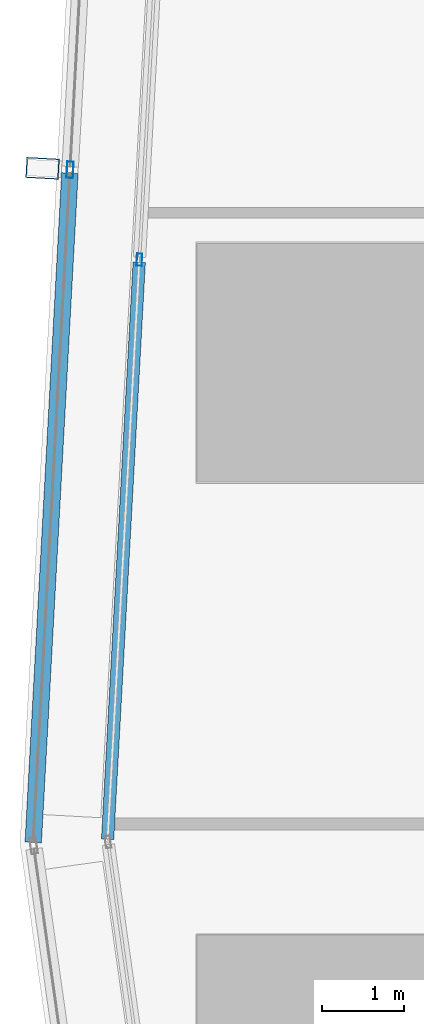
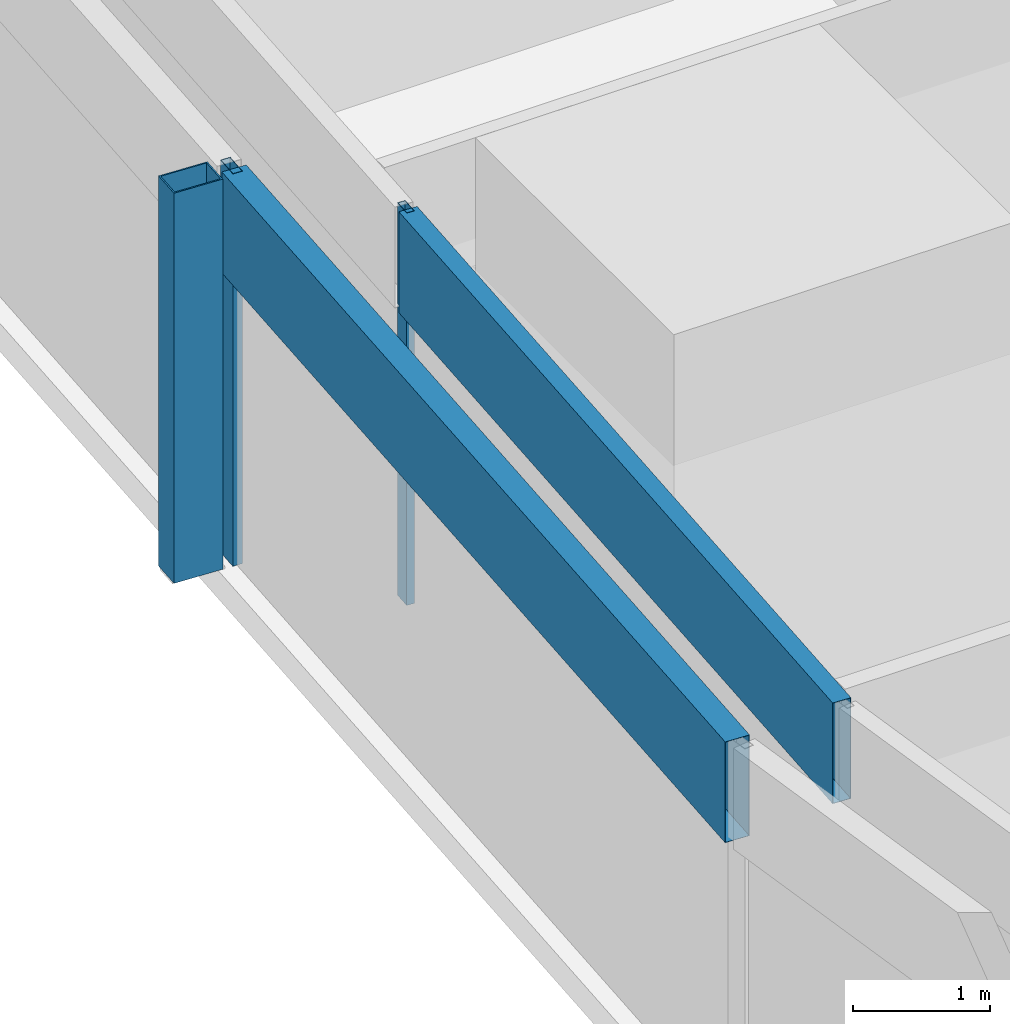
# One storey, part 6 of 40: 5 members, 2 elements without a shape of their own.
"""IFC4 building model written with IfcOpenShell, lengths in metres."""

import ifcopenshell
import ifcopenshell.guid

model = None  # the IFC model being written
_history = None  # IfcOwnerHistory: only IFC2X3 demands one
_inside = {}  # id of a spatial element -> (the spatial element, [elements in it])
_under = {}  # id of a project, library or spatial element -> (it, [spatial elements below it])
_declared = {}  # id of a project -> (the project, [libraries it declares])
_typed = {}  # id of a type object -> (the type object, [elements of that type])
_made_of = {}  # id of a material, layer set ... -> (it, [elements and type objects made of it])


def new_model(schema):
    """Start an empty IFC model of exactly this schema.

    Asked for "IFC4X3", IfcOpenShell would pick the latest addendum, in which some entities
    have other attributes; the version numbers below select the first issue.
    IFC2X3 requires an IfcOwnerHistory on every rooted entity: one is made here for all.
    """
    global model, _history
    if schema == "IFC4X3":
        model = ifcopenshell.file(schema_version=(4, 3, 0, 0))
    else:
        model = ifcopenshell.file(schema=schema)
    _inside.clear()
    _under.clear()
    _declared.clear()
    _typed.clear()
    _made_of.clear()
    _history = None
    if model.schema == "IFC2X3":
        org = make("IfcOrganization", Name="unknown")
        user = make(
            "IfcPersonAndOrganization",
            ThePerson=make("IfcPerson", FamilyName="unknown"),
            TheOrganization=org,
        )
        app = make(
            "IfcApplication",
            ApplicationDeveloper=org,
            Version="unknown",
            ApplicationFullName="unknown",
            ApplicationIdentifier="unknown",
        )
        _history = make(
            "IfcOwnerHistory",
            OwningUser=user,
            OwningApplication=app,
            ChangeAction="ADDED",
            CreationDate=0,
        )
    return model


def make(cls, **values):
    """One entity of the class cls with the attributes given. An attribute that is None is left unset."""
    return model.create_entity(
        cls, **{name: value for name, value in values.items() if value is not None}
    )


def rooted(cls, **values):
    """An entity with a GlobalId (a new one), such as an element, a storey or a relation."""
    return make(cls, GlobalId=ifcopenshell.guid.new(), OwnerHistory=_history, **values)


def si_unit(unit_type, name, prefix=None):
    """IfcSIUnit, for example si_unit("LENGTHUNIT", "METRE", prefix="MILLI")."""
    return make("IfcSIUnit", UnitType=unit_type, Prefix=prefix, Name=name)


def assignment(units):
    """IfcUnitAssignment: the units of a project."""
    return None if units is None else make("IfcUnitAssignment", Units=units)


def point(xyz):
    """IfcCartesianPoint."""
    return None if xyz is None else make("IfcCartesianPoint", Coordinates=xyz)


def direction(xyz):
    """IfcDirection."""
    return None if xyz is None else make("IfcDirection", DirectionRatios=xyz)


def frame(location, z_axis=None, x_axis=None):
    """IfcAxis2Placement3D, a coordinate frame: its origin and axes. An axis left out is left unset."""
    return make(
        "IfcAxis2Placement3D",
        Location=point(location),
        Axis=direction(z_axis),
        RefDirection=direction(x_axis),
    )


def frame_2d(location, x_axis=None):
    """IfcAxis2Placement2D, a coordinate frame in the plane: its origin and x axis."""
    return make(
        "IfcAxis2Placement2D", Location=point(location), RefDirection=direction(x_axis)
    )


def origin():
    """The frame at (0, 0, 0) with its axes left unset."""
    return frame((0.0, 0.0, 0.0))


def origin_2d():
    """The frame at (0, 0) in the plane with its x axis left unset."""
    return frame_2d((0.0, 0.0))


def place(relative_to, where):
    """IfcLocalPlacement: puts the frame where relative to a parent placement (None: the world)."""
    return make(
        "IfcLocalPlacement", PlacementRelTo=relative_to, RelativePlacement=where
    )


def context(
    kind, dimensions, precision=None, world=None, true_north=None, identifier=None
):
    """IfcGeometricRepresentationContext, for example the 3D "Model" context."""
    return make(
        "IfcGeometricRepresentationContext",
        ContextIdentifier=identifier,
        ContextType=kind,
        CoordinateSpaceDimension=dimensions,
        Precision=precision,
        WorldCoordinateSystem=world,
        TrueNorth=true_north,
    )


def subcontext(parent, identifier, kind, view, scale=None):
    """IfcGeometricRepresentationSubContext, for example "Body" below "Model"."""
    return make(
        "IfcGeometricRepresentationSubContext",
        ContextIdentifier=identifier,
        ContextType=kind,
        ParentContext=parent,
        TargetScale=scale,
        TargetView=view,
    )


def project(units=None, contexts=None):
    """IfcProject with its units and contexts."""
    return rooted(
        "IfcProject",
        Name="project",
        RepresentationContexts=contexts,
        UnitsInContext=assignment(units),
    )


def spatial(cls, under=None, at=None, **own):
    """A site, building, storey or space (cls), placed at a placement, below another one or the project."""
    s = rooted(cls, ObjectPlacement=at, **own)
    if under is not None:
        _under.setdefault(under.id(), (under, []))[1].append(s)
    return s


def profile(cls, at=None, kind="AREA", **sizes):
    """A parametric profile (cls). Its sizes go by their IFC names, for example OverallWidth=200.0."""
    return make(cls, ProfileType=kind, Position=at, **sizes)


def hollow_rectangle(**sizes):
    """IfcRectangleHollowProfileDef."""
    return profile("IfcRectangleHollowProfileDef", **sizes)


def extrude(swept, where, along, depth):
    """IfcExtrudedAreaSolid: the profile swept, set in the frame where, extruded along a direction by depth."""
    return make(
        "IfcExtrudedAreaSolid",
        SweptArea=swept,
        Position=where,
        ExtrudedDirection=direction(along),
        Depth=depth,
    )


def shape(context_of_items, identifier, shape_type, items):
    """IfcShapeRepresentation: the items that make up one representation, for example the "Body"."""
    return make(
        "IfcShapeRepresentation",
        ContextOfItems=context_of_items,
        RepresentationIdentifier=identifier,
        RepresentationType=shape_type,
        Items=items,
    )


def material(Name=None, Category=None):
    """IfcMaterial."""
    return make("IfcMaterial", Name=Name, Category=Category)


def material_profile(
    of_material, cross_section, Name=None, Category=None, Priority=None
):
    """IfcMaterialProfile: a cross section and its material."""
    return make(
        "IfcMaterialProfile",
        Name=Name,
        Material=of_material,
        Profile=cross_section,
        Priority=Priority,
        Category=Category,
    )


def profile_set(profiles, Name=None, composite=None):
    """IfcMaterialProfileSet."""
    return make(
        "IfcMaterialProfileSet",
        Name=Name,
        MaterialProfiles=profiles,
        CompositeProfile=composite,
    )


def made_of(thing, what):
    """Note that an element or type object is made of a material, layer set ...; save() writes the relation."""
    if what is not None:
        _made_of.setdefault(what.id(), (what, []))[1].append(thing)
    return thing


def type_object(cls, material=None, **own):
    """A type object (cls), such as IfcWallType, which elements share."""
    return made_of(rooted(cls, **own), material)


def element(
    cls,
    number,
    at=None,
    inside=None,
    cuts=None,
    type_object=None,
    material=None,
    context=None,
    identifier="Body",
    shape_type=None,
    held_by="IfcProductDefinitionShape",
    body=None,
    shapes=None,
    **own,
):
    """One element of the class cls, such as IfcWall. Its Tag is "e" and its number.

    at: its placement. inside: the storey or other place that contains it. cuts: it is an
    opening in that element (IfcRelVoidsElement). A single representation is given by context,
    identifier, shape_type and body (its items); several are given by shapes. held_by: the class
    of the entity that holds the representations. save() writes the other relations.
    """
    e = rooted(cls, Tag="e%d" % number, ObjectPlacement=at, **own)
    if body is not None:
        shapes = [shape(context, identifier, shape_type, body)]
    if shapes is not None:
        e.Representation = make(held_by, Representations=shapes)
    if inside is not None:
        _inside.setdefault(inside.id(), (inside, []))[1].append(e)
    if cuts is not None:
        rooted(
            "IfcRelVoidsElement", RelatingBuildingElement=cuts, RelatedOpeningElement=e
        )
    if type_object is not None:
        _typed.setdefault(type_object.id(), (type_object, []))[1].append(e)
    return made_of(e, material)


def aggregate(whole, parts):
    """IfcRelAggregates: a whole, such as a stair, and the parts it consists of."""
    return rooted("IfcRelAggregates", RelatingObject=whole, RelatedObjects=parts)


def save(model, path):
    """Write the relations noted so far, then the file.

    IfcRelAggregates (storeys below a building ...), IfcRelContainedInSpatialStructure (elements
    in a storey), IfcRelDefinesByType, IfcRelAssociatesMaterial and IfcRelDeclares: one each for
    every whole, place, type object, material and project.
    """
    for whole, parts in _under.values():
        aggregate(whole, parts)
    for where, things in _inside.values():
        rooted(
            "IfcRelContainedInSpatialStructure",
            RelatedElements=things,
            RelatingStructure=where,
        )
    for kind, things in _typed.values():
        rooted("IfcRelDefinesByType", RelatedObjects=things, RelatingType=kind)
    for what, things in _made_of.values():
        rooted("IfcRelAssociatesMaterial", RelatedObjects=things, RelatingMaterial=what)
    for by, libraries in _declared.values():
        rooted("IfcRelDeclares", RelatingContext=by, RelatedDefinitions=libraries)
    model.write(path)


model = new_model("IFC4")

# Units and contexts
model_context = context("Model", 3, precision=1e-05, world=origin(), true_north=direction((0.0, 1.0)))
body_context = subcontext(model_context, "Body", "Model", "MODEL_VIEW")
ifc_project = project(units=[si_unit("LENGTHUNIT", "METRE"), si_unit("AREAUNIT", "SQUARE_METRE"), si_unit("VOLUMEUNIT", "CUBIC_METRE"), si_unit("PLANEANGLEUNIT", "RADIAN"), si_unit("MASSUNIT", "GRAM", prefix="KILO")], contexts=[model_context])

# Site, building, storey
site_placement = place(None, origin())
site = spatial("IfcSite", under=ifc_project, at=site_placement, CompositionType="ELEMENT")
building_placement = place(site_placement, origin())
building = spatial("IfcBuilding", under=site, at=building_placement, Name="Rekha Terrace Tower", CompositionType="ELEMENT")
storey_placement = place(building_placement, frame((0.0, 0.0, 95.300048828125)))
storey = spatial("IfcBuildingStorey", under=building, at=storey_placement, Name="L23", CompositionType="ELEMENT", Elevation=95.300048828125)

# Curtain wall, member
ifc_material_1 = material(Name="Aluminium framing", Category="aluminium")
curtain_wall_type_1 = type_object("IfcCurtainWallType", Name="CW2 double skin outer glazing", PredefinedType="USERDEFINED", material=ifc_material_1)
curtain_wall_1_placement = place(storey_placement, origin())
curtain_wall_1 = element("IfcCurtainWall", 1, at=curtain_wall_1_placement, inside=storey, type_object=curtain_wall_type_1, Name="CW2 double skin outer glazing", ObjectType="DOUBLE SKIN OUTER GLAZING", PredefinedType="USERDEFINED")
ifc_material_2 = material(Name="Steel S355 with fluorocarbon finish", Category="steel")
ifc_material_profile_1 = material_profile(ifc_material_2, hollow_rectangle(XDim=0.25, YDim=0.39990234375, WallThickness=0.012451171875, at=origin_2d()), Name="RHS400x250x12.5")
ifc_profile_set_1 = profile_set([ifc_material_profile_1], Name="Steel S355 with fluorocarbon finish")
member_type_1 = type_object("IfcMemberType", Name="BL1 facade blade RHS 400 x 250", PredefinedType="USERDEFINED", material=ifc_profile_set_1)
member_1_placement = place(storey_placement, frame((5.073974609375, 35.9609375, 0.02001953125), z_axis=(0.0, 0.0, 1.0), x_axis=(-0.054742798353, -0.998500488747, 0.0)))
member_1 = element("IfcMember", 2, at=member_1_placement, type_object=member_type_1, Name="Facade blade", ObjectType="FACADE BLADE", PredefinedType="USERDEFINED", context=body_context, shape_type="SweptSolid", body=[
    extrude(hollow_rectangle(XDim=0.25, YDim=0.39990234375, WallThickness=0.012451171875, at=origin_2d()), origin(), (0.0, 0.0, 1.0), 3.47998046875),
])

# Curtain wall, members
curtain_wall_type_2 = type_object("IfcCurtainWallType", Name="CW1 double skin inner glazing", PredefinedType="USERDEFINED", material=ifc_material_1)
curtain_wall_2_placement = place(storey_placement, origin())
curtain_wall_2 = element("IfcCurtainWall", 3, at=curtain_wall_2_placement, inside=storey, type_object=curtain_wall_type_2, Name="CW1 double skin inner glazing", ObjectType="DOUBLE SKIN INNER GLAZING", PredefinedType="USERDEFINED")
ifc_material_3 = material(Name="Aluminium mullion section", Category="aluminium")
ifc_material_profile_2 = material_profile(ifc_material_3, hollow_rectangle(XDim=0.06494140625, YDim=0.14990234375, WallThickness=0.00390625, at=origin_2d()), Name="AL RHS 65x150")
ifc_profile_set_2 = profile_set([ifc_material_profile_2], Name="Aluminium mullion section")
member_type_2 = type_object("IfcMemberType", Name="CW1 mullion RHS 65 x 150", PredefinedType="MULLION", material=ifc_profile_set_2)
member_2_placement = place(storey_placement, frame((6.25, 34.850830078125, 0.0), z_axis=(0.0, 0.0, 1.0), x_axis=(0.998500513182, -0.054742352672, 0.0)))
member_2 = element("IfcMember", 4, at=member_2_placement, type_object=member_type_2, Name="CW1 mullion 3", PredefinedType="MULLION", context=body_context, shape_type="SweptSolid", body=[
    extrude(hollow_rectangle(XDim=0.06494140625, YDim=0.14990234375, WallThickness=0.00390625, at=origin_2d()), origin(), (0.0, 0.0, 1.0), 3.5),
])
ifc_material_4 = material(Name="Insulated aluminium spandrel box", Category="aluminium")
ifc_material_profile_3 = material_profile(ifc_material_4, hollow_rectangle(XDim=0.14990234375, YDim=0.89990234375, WallThickness=0.0029296875, at=origin_2d()), Name="AL SPANDREL BOX 150x900")
ifc_profile_set_3 = profile_set([ifc_material_profile_3], Name="Insulated aluminium spandrel box")
member_type_3 = type_object("IfcMemberType", Name="CW1 spandrel transom 150 x 900", PredefinedType="USERDEFINED", material=ifc_profile_set_3)
member_3_placement = place(storey_placement, frame((6.248046875, 34.818603515625, 3.050048828125), z_axis=(-0.054739537518, -0.998500667517, 0.0), x_axis=(0.998500667517, -0.054739537518, 0.0)))
member_3 = element("IfcMember", 5, at=member_3_placement, type_object=member_type_3, Name="CW1 spandrel transom 3", ObjectType="TRANSOM", PredefinedType="USERDEFINED", context=body_context, shape_type="SweptSolid", body=[
    extrude(hollow_rectangle(XDim=0.14990234375, YDim=0.89990234375, WallThickness=0.0029296875, at=origin_2d()), origin(), (0.0, 0.0, 1.0), 7.015625),
])
aggregate(curtain_wall_2, [member_2, member_3])

# Member
ifc_material_profile_4 = material_profile(ifc_material_3, hollow_rectangle(XDim=0.080078125, YDim=0.199951171875, WallThickness=0.00390625, at=origin_2d()), Name="AL RHS 80x200")
ifc_profile_set_4 = profile_set([ifc_material_profile_4], Name="Aluminium mullion section")
member_type_4 = type_object("IfcMemberType", Name="CW2 mullion RHS 80 x 200", PredefinedType="MULLION", material=ifc_profile_set_4)
member_4_placement = place(storey_placement, frame((5.408447265625, 35.942626953125, 0.0), z_axis=(0.0, 0.0, 1.0), x_axis=(0.99850051318, -0.054742352707, 0.0)))
member_4 = element("IfcMember", 6, at=member_4_placement, type_object=member_type_4, Name="CW2 mullion 4", PredefinedType="MULLION", context=body_context, shape_type="SweptSolid", body=[
    extrude(hollow_rectangle(XDim=0.080078125, YDim=0.199951171875, WallThickness=0.00390625, at=origin_2d()), origin(), (0.0, 0.0, 1.0), 3.5),
])

ifc_material_profile_5 = material_profile(ifc_material_4, hollow_rectangle(XDim=0.199951171875, YDim=0.89990234375, WallThickness=0.0029296875, at=origin_2d()), Name="AL SPANDREL BOX 200x900")
ifc_profile_set_5 = profile_set([ifc_material_profile_5], Name="Insulated aluminium spandrel box")
member_type_5 = type_object("IfcMemberType", Name="CW2 spandrel transom 200 x 900", PredefinedType="USERDEFINED", material=ifc_profile_set_5)
member_5_placement = place(storey_placement, frame((5.40625, 35.902587890625, 3.050048828125), z_axis=(-0.054737434401, -0.998500782812, 0.0), x_axis=(0.998500782812, -0.054737434401, 0.0)))
member_5 = element("IfcMember", 7, at=member_5_placement, type_object=member_type_5, Name="CW2 spandrel transom 4", ObjectType="TRANSOM", PredefinedType="USERDEFINED", context=body_context, shape_type="SweptSolid", body=[
    extrude(hollow_rectangle(XDim=0.199951171875, YDim=0.89990234375, WallThickness=0.0029296875, at=origin_2d()), origin(), (0.0, 0.0, 1.0), 8.139892578125),
])

aggregate(curtain_wall_1, [member_4, member_5, member_1])

save(model, "model.ifc")
